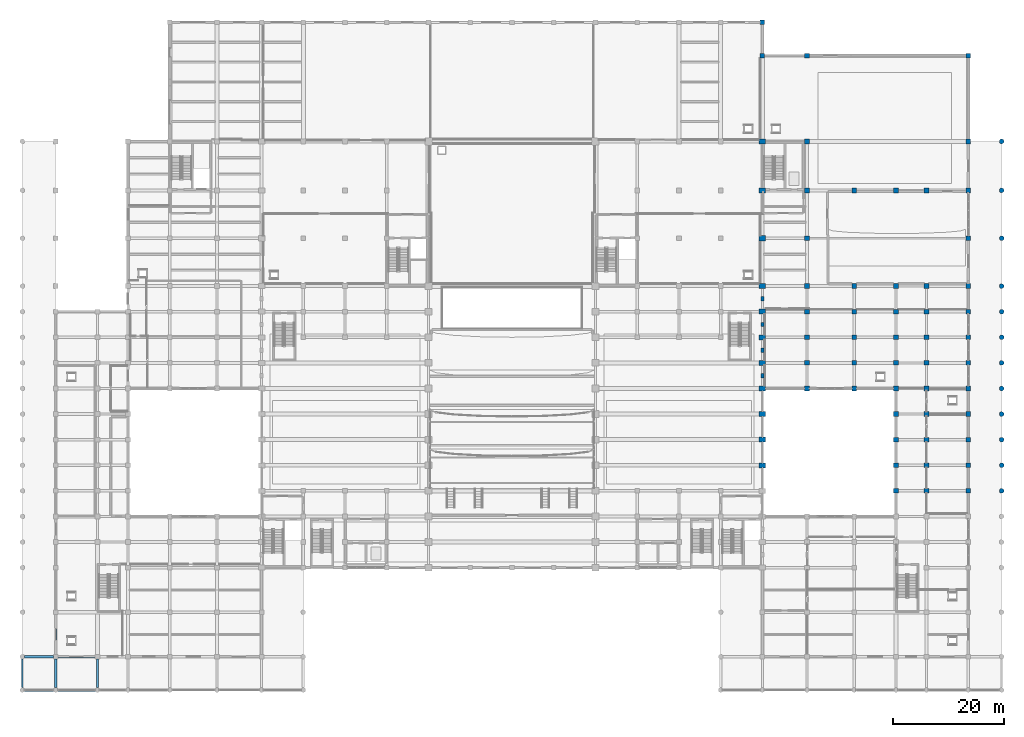
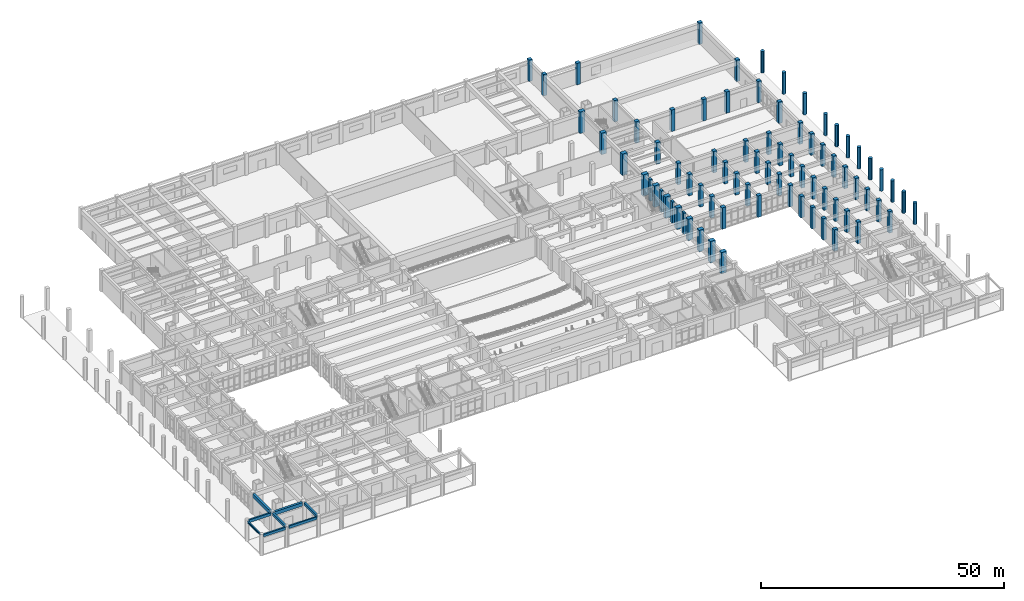
# One storey, part 2 of 84: 77 columns, 8 beams.
"""IFC4 building model written with IfcOpenShell, lengths in metres."""

from ifc_helpers import new_model, si_unit, direction, frame, origin, origin_2d, place, context, subcontext, project, spatial, rectangle, circle, i_section, extrude, material, material_profile, profile_set, type_object, element, save


model = new_model("IFC4")

# Units and contexts
model_context = context("Model", 3, precision=1e-05, world=origin(), true_north=direction((0.0, 1.0)))
body_context = subcontext(model_context, "Body", "Model", "MODEL_VIEW")
ifc_project = project(units=[si_unit("LENGTHUNIT", "METRE"), si_unit("AREAUNIT", "SQUARE_METRE"), si_unit("VOLUMEUNIT", "CUBIC_METRE"), si_unit("PLANEANGLEUNIT", "RADIAN"), si_unit("MASSUNIT", "GRAM", prefix="KILO")], contexts=[model_context])

# Site, building, storey
site_placement = place(None, origin())
site = spatial("IfcSite", under=ifc_project, at=site_placement, CompositionType="ELEMENT")
building_placement = place(site_placement, origin())
building = spatial("IfcBuilding", under=site, at=building_placement, Name="Muzn Square Opera House", CompositionType="ELEMENT")
storey_placement = place(building_placement, origin())
storey = spatial("IfcBuildingStorey", under=building, at=storey_placement, Name="L00", CompositionType="ELEMENT", Elevation=0.0)

# Columns
ifc_material_1 = material(Name="Concrete C45/55", Category="concrete")
ifc_material_profile_1 = material_profile(ifc_material_1, circle(Radius=0.425048828125, at=origin_2d()), Name="RCC D850", Category="concrete")
ifc_profile_set_1 = profile_set([ifc_material_profile_1], Name="Concrete C45/55")
column_type_1 = type_object("IfcColumnType", Name="Colonnade Round Column D850", PredefinedType="COLUMN", material=ifc_profile_set_1)
for number, where, z_axis, x_axis, name in (
    (1, (176.0, 35.800048828125, 0.0), (0.0, 0.0, 1.0), (1.0, 0.0, 0.0), "Column COL-L00-COL-D850-1760_358"),
    (2, (176.0, 40.39990234375, 0.0), (0.0, 0.0, 1.0), (1.0, 0.0, 0.0), "Column COL-L00-COL-D850-1760_404"),
    (3, (176.0, 45.0, 0.0), (0.0, 0.0, 1.0), (1.0, 0.0, 0.0), "Column COL-L00-COL-D850-1760_450"),
    (4, (176.0, 49.60009765625, 0.0), (0.0, 0.0, 1.0), (1.0, 0.0, 0.0), "Column COL-L00-COL-D850-1760_496"),
    (5, (176.0, 54.199951171875, 0.0), (0.0, 0.0, 1.0), (1.0, 0.0, 0.0), "Column COL-L00-COL-D850-1760_542"),
    (6, (176.0, 58.800048828125, 0.0), (0.0, 0.0, 1.0), (1.0, 0.0, 0.0), "Column COL-L00-COL-D850-1760_588"),
    (7, (176.0, 63.39990234375, 0.0), (0.0, 0.0, 1.0), (1.0, 0.0, 0.0), "Column COL-L00-COL-D850-1760_634"),
    (8, (176.0, 68.0, 0.0), (0.0, 0.0, 1.0), (1.0, 0.0, 0.0), "Column COL-L00-COL-D850-1760_680"),
    (9, (176.0, 72.60009765625, 0.0), (0.0, 0.0, 1.0), (1.0, 0.0, 0.0), "Column COL-L00-COL-D850-1760_726"),
    (10, (176.0, 81.199951171875, 0.0), (0.0, 0.0, 1.0), (1.0, 0.0, 0.0), "Column COL-L00-COL-D850-1760_812"),
    (11, (176.0, 89.800048828125, 0.0), (0.0, 0.0, 1.0), (1.0, 0.0, 0.0), "Column COL-L00-COL-D850-1760_898"),
    (12, (176.0, 98.60009765625, 0.0), (0.0, 0.0, 1.0), (1.0, 0.0, 0.0), "Column COL-L00-COL-D850-1760_986"),
):
    element("IfcColumn", number, at=place(storey_placement, frame(where, z_axis=z_axis, x_axis=x_axis)), inside=storey, type_object=column_type_1, Name=name, PredefinedType="COLUMN", context=body_context, shape_type="SweptSolid", body=[
        extrude(circle(Radius=0.425048828125, at=origin_2d()), origin(), (0.0, 0.0, 1.0), 5.39990234375),
    ])
ifc_material_profile_2 = material_profile(ifc_material_1, rectangle(XDim=0.5, YDim=0.800048828125, at=origin_2d()), Name="RC 500x800", Category="concrete")
ifc_profile_set_2 = profile_set([ifc_material_profile_2], Name="Concrete C45/55")
column_type_2 = type_object("IfcColumnType", Name="Facade Pilaster 500x800", PredefinedType="PILASTER", material=ifc_profile_set_2)
for number, where, z_axis, x_axis, name in (
    (13, (133.0, 56.5, 0.0), (0.0, 0.0, 1.0), (1.0, 0.0, 0.0), "Engaged Pilaster PIL-L00-PIL-5080-1330_565"),
    (14, (133.0, 61.10009765625, 0.0), (0.0, 0.0, 1.0), (1.0, 0.0, 0.0), "Engaged Pilaster PIL-L00-PIL-5080-1330_611"),
    (15, (133.0, 65.699951171875, 0.0), (0.0, 0.0, 1.0), (1.0, 0.0, 0.0), "Engaged Pilaster PIL-L00-PIL-5080-1330_657"),
    (16, (133.0, 70.300048828125, 0.0), (0.0, 0.0, 1.0), (1.0, 0.0, 0.0), "Engaged Pilaster PIL-L00-PIL-5080-1330_703"),
):
    element("IfcColumn", number, at=place(storey_placement, frame(where, z_axis=z_axis, x_axis=x_axis)), inside=storey, type_object=column_type_2, Name=name, PredefinedType="PILASTER", context=body_context, shape_type="SweptSolid", body=[
        extrude(rectangle(XDim=0.5, YDim=0.800048828125, at=origin_2d()), origin(), (0.0, 0.0, 1.0), 5.39990234375),
    ])
ifc_material_profile_3 = material_profile(ifc_material_1, rectangle(XDim=1.199951171875, YDim=0.89990234375, at=origin_2d()), Name="RC 1200x900", Category="concrete")
ifc_profile_set_3 = profile_set([ifc_material_profile_3], Name="Concrete C45/55")
column_type_3 = type_object("IfcColumnType", Name="Frame Column 1200x900", PredefinedType="COLUMN", material=ifc_profile_set_3)
for number, where, z_axis, x_axis, name in (
    (17, (133.0, 40.39990234375, 0.0), (0.0, 0.0, 1.0), (1.0, 0.0, 0.0), "Column COL-L00-COL-1209-1330_404"),
    (18, (133.0, 45.0, 0.0), (0.0, 0.0, 1.0), (1.0, 0.0, 0.0), "Column COL-L00-COL-1209-1330_450"),
    (19, (133.0, 49.60009765625, 0.0), (0.0, 0.0, 1.0), (1.0, 0.0, 0.0), "Column COL-L00-COL-1209-1330_496"),
    (20, (133.0, 54.199951171875, 0.0), (0.0, 0.0, 1.0), (1.0, 0.0, 0.0), "Column COL-L00-COL-1209-1330_542"),
    (21, (133.0, 58.800048828125, 0.0), (0.0, 0.0, 1.0), (1.0, 0.0, 0.0), "Column COL-L00-COL-1209-1330_588"),
    (22, (133.0, 63.39990234375, 0.0), (0.0, 0.0, 1.0), (1.0, 0.0, 0.0), "Column COL-L00-COL-1209-1330_634"),
    (23, (133.0, 68.0, 0.0), (0.0, 0.0, 1.0), (1.0, 0.0, 0.0), "Column COL-L00-COL-1209-1330_680"),
    (24, (133.0, 72.60009765625, 0.0), (0.0, 0.0, 1.0), (1.0, 0.0, 0.0), "Column COL-L00-COL-1209-1330_726"),
    (25, (133.0, 81.199951171875, 0.0), (0.0, 0.0, 1.0), (1.0, 0.0, 0.0), "Column COL-L00-COL-1209-1330_812"),
    (26, (133.0, 89.800048828125, 0.0), (0.0, 0.0, 1.0), (1.0, 0.0, 0.0), "Column COL-L00-COL-1209-1330_898"),
    (27, (133.0, 98.60009765625, 0.0), (0.0, 0.0, 1.0), (1.0, 0.0, 0.0), "Column COL-L00-COL-1209-1330_986"),
):
    element("IfcColumn", number, at=place(storey_placement, frame(where, z_axis=z_axis, x_axis=x_axis)), inside=storey, type_object=column_type_3, Name=name, PredefinedType="COLUMN", context=body_context, shape_type="SweptSolid", body=[
        extrude(rectangle(XDim=1.199951171875, YDim=0.89990234375, at=origin_2d()), origin(), (0.0, 0.0, 1.0), 5.39990234375),
    ])
ifc_material_profile_4 = material_profile(ifc_material_1, rectangle(XDim=0.85009765625, YDim=0.85009765625, at=origin_2d()), Name="RC 850x850", Category="concrete")
ifc_profile_set_4 = profile_set([ifc_material_profile_4], Name="Concrete C45/55")
column_type_4 = type_object("IfcColumnType", Name="Frame Column 850x850", PredefinedType="COLUMN", material=ifc_profile_set_4)
for number, where, z_axis, x_axis, name in (
    (28, (133.0, 120.0, 0.0), (0.0, 0.0, 1.0), (1.0, 0.0, 0.0), "Column COL-L00-COL-850-1330_1200"),
    (29, (141.0, 54.199951171875, 0.0), (0.0, 0.0, 1.0), (1.0, 0.0, 0.0), "Column COL-L00-COL-850-1410_542"),
    (30, (141.0, 58.800048828125, 0.0), (0.0, 0.0, 1.0), (1.0, 0.0, 0.0), "Column COL-L00-COL-850-1410_588"),
    (31, (141.0, 63.39990234375, 0.0), (0.0, 0.0, 1.0), (1.0, 0.0, 0.0), "Column COL-L00-COL-850-1410_634"),
    (32, (141.0, 68.0, 0.0), (0.0, 0.0, 1.0), (1.0, 0.0, 0.0), "Column COL-L00-COL-850-1410_680"),
    (33, (141.0, 72.60009765625, 0.0), (0.0, 0.0, 1.0), (1.0, 0.0, 0.0), "Column COL-L00-COL-850-1410_726"),
    (34, (141.0, 81.199951171875, 0.0), (0.0, 0.0, 1.0), (1.0, 0.0, 0.0), "Column COL-L00-COL-850-1410_812"),
    (35, (141.0, 89.800048828125, 0.0), (0.0, 0.0, 1.0), (1.0, 0.0, 0.0), "Column COL-L00-COL-850-1410_898"),
    (36, (141.0, 98.60009765625, 0.0), (0.0, 0.0, 1.0), (1.0, 0.0, 0.0), "Column COL-L00-COL-850-1410_986"),
    (37, (149.5, 54.199951171875, 0.0), (0.0, 0.0, 1.0), (1.0, 0.0, 0.0), "Column COL-L00-COL-850-1495_542"),
    (38, (149.5, 58.800048828125, 0.0), (0.0, 0.0, 1.0), (1.0, 0.0, 0.0), "Column COL-L00-COL-850-1495_588"),
    (39, (149.5, 63.39990234375, 0.0), (0.0, 0.0, 1.0), (1.0, 0.0, 0.0), "Column COL-L00-COL-850-1495_634"),
    (40, (149.5, 68.0, 0.0), (0.0, 0.0, 1.0), (1.0, 0.0, 0.0), "Column COL-L00-COL-850-1495_680"),
    (41, (149.5, 72.60009765625, 0.0), (0.0, 0.0, 1.0), (1.0, 0.0, 0.0), "Column COL-L00-COL-850-1495_726"),
    (42, (149.5, 89.800048828125, 0.0), (0.0, 0.0, 1.0), (1.0, 0.0, 0.0), "Column COL-L00-COL-850-1495_898"),
    (43, (157.0, 35.800048828125, 0.0), (0.0, 0.0, 1.0), (1.0, 0.0, 0.0), "Column COL-L00-COL-850-1570_358"),
    (44, (157.0, 40.39990234375, 0.0), (0.0, 0.0, 1.0), (1.0, 0.0, 0.0), "Column COL-L00-COL-850-1570_404"),
    (45, (157.0, 45.0, 0.0), (0.0, 0.0, 1.0), (1.0, 0.0, 0.0), "Column COL-L00-COL-850-1570_450"),
    (46, (157.0, 49.60009765625, 0.0), (0.0, 0.0, 1.0), (1.0, 0.0, 0.0), "Column COL-L00-COL-850-1570_496"),
    (47, (157.0, 54.199951171875, 0.0), (0.0, 0.0, 1.0), (1.0, 0.0, 0.0), "Column COL-L00-COL-850-1570_542"),
    (48, (157.0, 58.800048828125, 0.0), (0.0, 0.0, 1.0), (1.0, 0.0, 0.0), "Column COL-L00-COL-850-1570_588"),
    (49, (157.0, 63.39990234375, 0.0), (0.0, 0.0, 1.0), (1.0, 0.0, 0.0), "Column COL-L00-COL-850-1570_634"),
    (50, (157.0, 68.0, 0.0), (0.0, 0.0, 1.0), (1.0, 0.0, 0.0), "Column COL-L00-COL-850-1570_680"),
    (51, (157.0, 72.60009765625, 0.0), (0.0, 0.0, 1.0), (1.0, 0.0, 0.0), "Column COL-L00-COL-850-1570_726"),
    (52, (157.0, 89.800048828125, 0.0), (0.0, 0.0, 1.0), (1.0, 0.0, 0.0), "Column COL-L00-COL-850-1570_898"),
    (53, (162.5, 35.800048828125, 0.0), (0.0, 0.0, 1.0), (1.0, 0.0, 0.0), "Column COL-L00-COL-850-1625_358"),
    (54, (162.5, 40.39990234375, 0.0), (0.0, 0.0, 1.0), (1.0, 0.0, 0.0), "Column COL-L00-COL-850-1625_404"),
    (55, (162.5, 45.0, 0.0), (0.0, 0.0, 1.0), (1.0, 0.0, 0.0), "Column COL-L00-COL-850-1625_450"),
    (56, (162.5, 49.60009765625, 0.0), (0.0, 0.0, 1.0), (1.0, 0.0, 0.0), "Column COL-L00-COL-850-1625_496"),
    (57, (162.5, 54.199951171875, 0.0), (0.0, 0.0, 1.0), (1.0, 0.0, 0.0), "Column COL-L00-COL-850-1625_542"),
    (58, (162.5, 58.800048828125, 0.0), (0.0, 0.0, 1.0), (1.0, 0.0, 0.0), "Column COL-L00-COL-850-1625_588"),
    (59, (162.5, 63.39990234375, 0.0), (0.0, 0.0, 1.0), (1.0, 0.0, 0.0), "Column COL-L00-COL-850-1625_634"),
    (60, (162.5, 68.0, 0.0), (0.0, 0.0, 1.0), (1.0, 0.0, 0.0), "Column COL-L00-COL-850-1625_680"),
    (61, (162.5, 72.60009765625, 0.0), (0.0, 0.0, 1.0), (1.0, 0.0, 0.0), "Column COL-L00-COL-850-1625_726"),
    (62, (162.5, 89.800048828125, 0.0), (0.0, 0.0, 1.0), (1.0, 0.0, 0.0), "Column COL-L00-COL-850-1625_898"),
    (63, (170.0, 35.800048828125, 0.0), (0.0, 0.0, 1.0), (1.0, 0.0, 0.0), "Column COL-L00-COL-850-1700_358"),
    (64, (170.0, 40.39990234375, 0.0), (0.0, 0.0, 1.0), (1.0, 0.0, 0.0), "Column COL-L00-COL-850-1700_404"),
    (65, (170.0, 45.0, 0.0), (0.0, 0.0, 1.0), (1.0, 0.0, 0.0), "Column COL-L00-COL-850-1700_450"),
    (66, (170.0, 49.60009765625, 0.0), (0.0, 0.0, 1.0), (1.0, 0.0, 0.0), "Column COL-L00-COL-850-1700_496"),
    (67, (170.0, 54.199951171875, 0.0), (0.0, 0.0, 1.0), (1.0, 0.0, 0.0), "Column COL-L00-COL-850-1700_542"),
    (68, (170.0, 58.800048828125, 0.0), (0.0, 0.0, 1.0), (1.0, 0.0, 0.0), "Column COL-L00-COL-850-1700_588"),
    (69, (170.0, 63.39990234375, 0.0), (0.0, 0.0, 1.0), (1.0, 0.0, 0.0), "Column COL-L00-COL-850-1700_634"),
    (70, (170.0, 68.0, 0.0), (0.0, 0.0, 1.0), (1.0, 0.0, 0.0), "Column COL-L00-COL-850-1700_680"),
    (71, (170.0, 72.60009765625, 0.0), (0.0, 0.0, 1.0), (1.0, 0.0, 0.0), "Column COL-L00-COL-850-1700_726"),
    (72, (170.0, 81.199951171875, 0.0), (0.0, 0.0, 1.0), (1.0, 0.0, 0.0), "Column COL-L00-COL-850-1700_812"),
    (73, (170.0, 89.800048828125, 0.0), (0.0, 0.0, 1.0), (1.0, 0.0, 0.0), "Column COL-L00-COL-850-1700_898"),
    (74, (170.0, 98.60009765625, 0.0), (0.0, 0.0, 1.0), (1.0, 0.0, 0.0), "Column COL-L00-COL-850-1700_986"),
    (75, (133.0, 114.0, 0.0), (0.0, 0.0, 1.0), (1.0, 0.0, 0.0), "Column COL-N114-L00-004"),
    (76, (141.0, 114.0, 0.0), (0.0, 0.0, 1.0), (1.0, 0.0, 0.0), "Column COL-N114-L00-005"),
    (77, (170.0, 114.0, 0.0), (0.0, 0.0, 1.0), (1.0, 0.0, 0.0), "Column COL-N114-L00-006"),
):
    element("IfcColumn", number, at=place(storey_placement, frame(where, z_axis=z_axis, x_axis=x_axis)), inside=storey, type_object=column_type_4, Name=name, PredefinedType="COLUMN", context=body_context, shape_type="SweptSolid", body=[
        extrude(rectangle(XDim=0.85009765625, YDim=0.85009765625, at=origin_2d()), origin(), (0.0, 0.0, 1.0), 5.39990234375),
    ])

# Beams
ifc_material_2 = material(Name="Concrete C40/50", Category="concrete")
ifc_material_profile_5 = material_profile(ifc_material_2, rectangle(XDim=0.39990234375, YDim=0.699951171875, at=origin_2d()), Name="RCB 400x700", Category="concrete")
ifc_profile_set_5 = profile_set([ifc_material_profile_5], Name="Concrete C40/50")
beam_type_1 = type_object("IfcBeamType", Name="Primary Girder 400x700", PredefinedType="BEAM", material=ifc_profile_set_5)
for number, where, z_axis, x_axis, name in (
    (78, (0.4169921875, 6.0, 4.77001953125), (1.0, 0.0, 0.0), (0.0, 1.0, 0.0), "Primary Girder BM-L00-BM-PG700-4_60_56_60-734"),
    (79, (6.0, 0.4169921875, 4.7900390625), (0.0, 1.0, 0.0), (-1.0, 0.0, 0.0), "Primary Girder BM-L00-BM-PG700-60_4_60_56-953"),
    (80, (13.5, 0.4169921875, 4.7900390625), (0.0, 1.0, 0.0), (-1.0, 0.0, 0.0), "Primary Girder BM-L00-BM-PG700-135_4_135_56-966"),
):
    element("IfcBeam", number, at=place(storey_placement, frame(where, z_axis=z_axis, x_axis=x_axis)), inside=storey, type_object=beam_type_1, Name=name, PredefinedType="BEAM", context=body_context, shape_type="SweptSolid", body=[
        extrude(rectangle(XDim=0.39990234375, YDim=0.699951171875, at=origin_2d()), origin(), (0.0, 0.0, 1.0), 5.166015625),
    ])
ifc_material_profile_6 = material_profile(ifc_material_2, rectangle(XDim=0.5, YDim=0.89990234375, at=origin_2d()), Name="RCB 500x900", Category="concrete")
ifc_profile_set_6 = profile_set([ifc_material_profile_6], Name="Concrete C40/50")
beam_type_2 = type_object("IfcBeamType", Name="Primary Girder 500x900", PredefinedType="BEAM", material=ifc_profile_set_6)
beam_1_placement = place(storey_placement, frame((6.4169921875, 6.0, 4.669921875), z_axis=(1.0, 0.0, 0.0), x_axis=(0.0, 1.0, 0.0)))
element("IfcBeam", 81, at=beam_1_placement, inside=storey, type_object=beam_type_2, Name="Primary Girder BM-L00-BM-PG900-64_60_131_60-735", PredefinedType="BEAM", context=body_context, shape_type="SweptSolid", body=[
    extrude(rectangle(XDim=0.5, YDim=0.89990234375, at=origin_2d()), origin(), (0.0, 0.0, 1.0), 6.666015625),
])
beam_2_placement = place(storey_placement, frame((6.0, 6.4169921875, 4.669921875), z_axis=(0.0, 1.0, 0.0), x_axis=(-1.0, 0.0, 0.0)))
element("IfcBeam", 82, at=beam_2_placement, inside=storey, type_object=beam_type_2, Name="Primary Girder BM-L00-BM-PG900-60_64_60_136-954", PredefinedType="BEAM", context=body_context, shape_type="SweptSolid", body=[
    extrude(rectangle(XDim=0.5, YDim=0.89990234375, at=origin_2d()), origin(), (0.0, 0.0, 1.0), 7.166015625),
])
ifc_material_profile_7 = material_profile(ifc_material_2, rectangle(XDim=0.35009765625, YDim=0.64990234375, at=origin_2d()), Name="RCS 350x650", Category="concrete")
ifc_profile_set_7 = profile_set([ifc_material_profile_7], Name="Concrete C40/50")
beam_type_3 = type_object("IfcBeamType", Name="Spandrel Beam 350x650", PredefinedType="SPANDREL", material=ifc_profile_set_7)
beam_3_placement = place(storey_placement, frame((0.4169921875, 0.0, 4.794921875), z_axis=(1.0, 0.0, 0.0), x_axis=(0.0, 1.0, 0.0)))
element("IfcBeam", 83, at=beam_3_placement, inside=storey, type_object=beam_type_3, Name="Spandrel Beam BM-L00-BM-SP650-4_0_56_0-720", PredefinedType="SPANDREL", context=body_context, shape_type="SweptSolid", body=[
    extrude(rectangle(XDim=0.35009765625, YDim=0.64990234375, at=origin_2d()), origin(), (0.0, 0.0, 1.0), 5.166015625),
])
beam_4_placement = place(storey_placement, frame((6.4169921875, 0.0, 4.794921875), z_axis=(1.0, 0.0, 0.0), x_axis=(0.0, 1.0, 0.0)))
element("IfcBeam", 84, at=beam_4_placement, inside=storey, type_object=beam_type_3, Name="Spandrel Beam BM-L00-BM-SP650-64_0_131_0-721", PredefinedType="SPANDREL", context=body_context, shape_type="SweptSolid", body=[
    extrude(rectangle(XDim=0.35009765625, YDim=0.64990234375, at=origin_2d()), origin(), (0.0, 0.0, 1.0), 6.666015625),
])
ifc_material_3 = material(Name="Steel S355", Category="steel")
ifc_material_profile_8 = material_profile(ifc_material_3, i_section(OverallWidth=0.300048828125, OverallDepth=0.389892578125, WebThickness=0.010986328125, FlangeThickness=0.01904296875, FilletRadius=0.027099609375, at=origin_2d()), Name="HEA 400", Category="steel")
ifc_profile_set_8 = profile_set([ifc_material_profile_8], Name="Steel S355")
beam_type_4 = type_object("IfcBeamType", Name="Steel Spandrel Beam HEA400", PredefinedType="SPANDREL", material=ifc_profile_set_8)
beam_5_placement = place(storey_placement, frame((0.0, 0.4169921875, 4.925048828125), z_axis=(0.0, 1.0, 0.0), x_axis=(-1.0, 0.0, 0.0)))
element("IfcBeam", 85, at=beam_5_placement, inside=storey, type_object=beam_type_4, Name="Spandrel Beam BM-L00-BM-SSP400-0_4_0_56-952", PredefinedType="SPANDREL", context=body_context, shape_type="SweptSolid", body=[
    extrude(i_section(OverallWidth=0.300048828125, OverallDepth=0.389892578125, WebThickness=0.010986328125, FlangeThickness=0.01904296875, FilletRadius=0.027099609375, at=origin_2d()), origin(), (0.0, 0.0, 1.0), 5.166015625),
])

save(model, "model.ifc")
